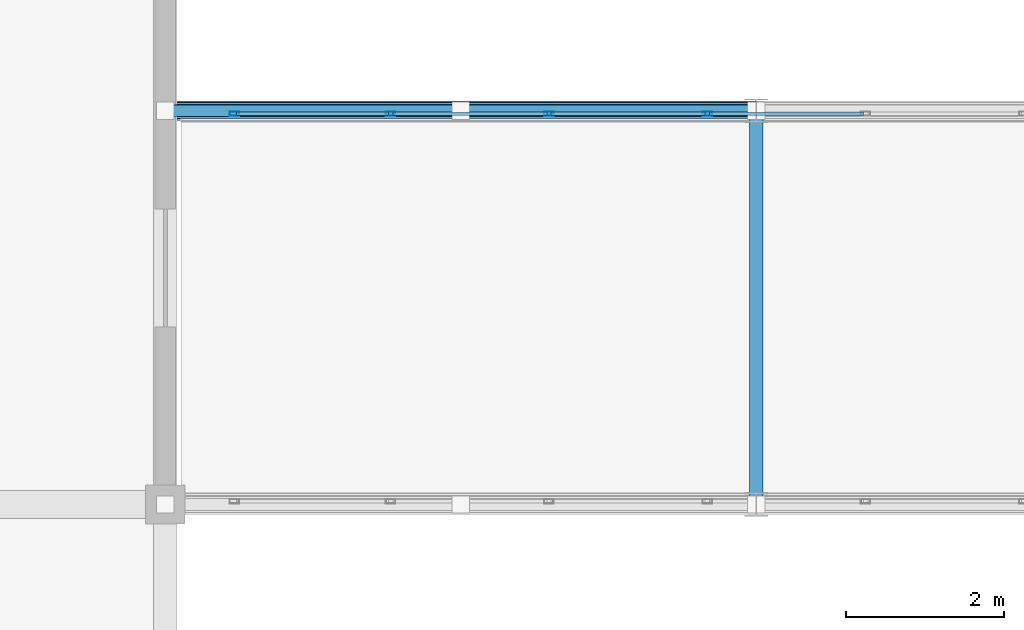
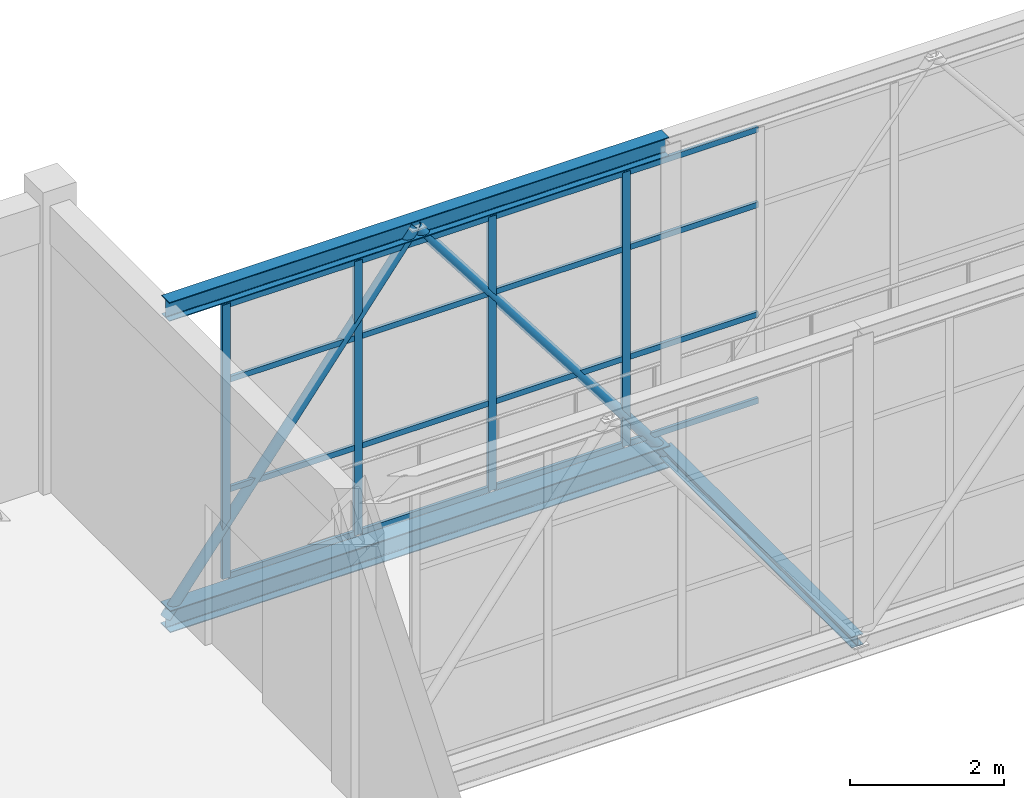
# One storey, part 28 of 248: 25 members, 1 element without a shape of its own.
"""IFC4 building model written with IfcOpenShell, lengths in metres."""

from ifc_helpers import new_model, si_unit, direction, frame, origin, origin_2d, place, context, subcontext, project, spatial, hollow_rectangle, hollow_circle, i_section, extrude, material, layer, layer_set, material_profile, profile_set, type_object, element, aggregate, save


model = new_model("IFC4")

# Units and contexts
model_context = context("Model", 3, precision=1e-05, world=origin(), true_north=direction((0.0, 1.0)))
body_context = subcontext(model_context, "Body", "Model", "MODEL_VIEW")
ifc_project = project(units=[si_unit("LENGTHUNIT", "METRE"), si_unit("AREAUNIT", "SQUARE_METRE"), si_unit("VOLUMEUNIT", "CUBIC_METRE"), si_unit("PLANEANGLEUNIT", "RADIAN"), si_unit("MASSUNIT", "GRAM", prefix="KILO")], contexts=[model_context])

# Site, building, storey
site_placement = place(None, origin())
site = spatial("IfcSite", under=ifc_project, at=site_placement, CompositionType="ELEMENT")
building_placement = place(site_placement, origin())
building = spatial("IfcBuilding", under=site, at=building_placement, Name="Canggui Botanical Conservatory", CompositionType="ELEMENT")
storey_placement = place(building_placement, frame((0.0, 0.0, 5.39990234375)))
storey = spatial("IfcBuildingStorey", under=building, at=storey_placement, Name="L02", CompositionType="ELEMENT", Elevation=5.39990234375)

# Curtain wall, members
ifc_material_1 = material(Name="Thermally Broken Aluminium", Category="aluminium")
ifc_layer = layer(ifc_material_1, 0.1201171875, Name="Thermally Broken Aluminium", Category="aluminium")
ifc_layer_set = layer_set([ifc_layer], Name="Thermally Broken Aluminium")
curtain_wall_type = type_object("IfcCurtainWallType", Name="CW-STICK-B", PredefinedType="USERDEFINED", material=ifc_layer_set)
curtain_wall_placement = place(storey_placement, origin())
curtain_wall = element("IfcCurtainWall", 1, at=curtain_wall_placement, inside=storey, type_object=curtain_wall_type, Name="Facade Curtain Wall CW-SB-01-2", ObjectType="STICK GLAZED WALL", PredefinedType="USERDEFINED")
ifc_material_profile_1 = material_profile(ifc_material_1, hollow_rectangle(XDim=0.054931640625, YDim=0.1201171875, WallThickness=0.0029296875, at=origin_2d()), Name="CWM 55x120x3")
ifc_profile_set_1 = profile_set([ifc_material_profile_1], Name="Thermally Broken Aluminium")
member_type_1 = type_object("IfcMemberType", Name="CWM-05", PredefinedType="MULLION", material=ifc_profile_set_1)
member_1_placement = place(storey_placement, frame((66.87744140625, 30.9599609375, 0.0), z_axis=(0.0, 0.0, 1.0), x_axis=(0.0, 1.0, 0.0)))
member_1 = element("IfcMember", 2, at=member_1_placement, type_object=member_type_1, Name="CW-05 mullion 1", PredefinedType="MULLION", context=body_context, shape_type="SweptSolid", body=[
    extrude(hollow_rectangle(XDim=0.054931640625, YDim=0.1201171875, WallThickness=0.0029296875, at=origin_2d()), origin(), (0.0, 0.0, 1.0), 4.35009765625),
])
member_2_placement = place(storey_placement, frame((68.859619140625, 30.9599609375, 0.0), z_axis=(0.0, 0.0, 1.0), x_axis=(0.0, 1.0, 0.0)))
member_2 = element("IfcMember", 3, at=member_2_placement, type_object=member_type_1, Name="CW-05 mullion 2", PredefinedType="MULLION", context=body_context, shape_type="SweptSolid", body=[
    extrude(hollow_rectangle(XDim=0.054931640625, YDim=0.1201171875, WallThickness=0.0029296875, at=origin_2d()), origin(), (0.0, 0.0, 1.0), 4.35009765625),
])
member_3_placement = place(storey_placement, frame((70.869384765625, 30.9599609375, 0.0), z_axis=(0.0, 0.0, 1.0), x_axis=(0.0, 1.0, 0.0)))
member_3 = element("IfcMember", 4, at=member_3_placement, type_object=member_type_1, Name="CW-05 mullion 3", PredefinedType="MULLION", context=body_context, shape_type="SweptSolid", body=[
    extrude(hollow_rectangle(XDim=0.054931640625, YDim=0.1201171875, WallThickness=0.0029296875, at=origin_2d()), origin(), (0.0, 0.0, 1.0), 4.35009765625),
])
member_4_placement = place(storey_placement, frame((72.879150390625, 30.9599609375, 0.0), z_axis=(0.0, 0.0, 1.0), x_axis=(0.0, 1.0, 0.0)))
member_4 = element("IfcMember", 5, at=member_4_placement, type_object=member_type_1, Name="CW-05 mullion 4", PredefinedType="MULLION", context=body_context, shape_type="SweptSolid", body=[
    extrude(hollow_rectangle(XDim=0.054931640625, YDim=0.1201171875, WallThickness=0.0029296875, at=origin_2d()), origin(), (0.0, 0.0, 1.0), 4.35009765625),
])
ifc_material_profile_2 = material_profile(ifc_material_1, hollow_rectangle(XDim=0.044921875, YDim=0.090087890625, WallThickness=0.0029296875, at=origin_2d()), Name="CWT 45x90x3")
ifc_profile_set_2 = profile_set([ifc_material_profile_2], Name="Thermally Broken Aluminium")
member_type_2 = type_object("IfcMemberType", Name="CWT-05", PredefinedType="USERDEFINED", material=ifc_profile_set_2)
member_5_placement = place(storey_placement, frame((66.905029296875, 30.9599609375, 0.022705078125), z_axis=(1.0, 0.0, 0.0), x_axis=(0.0, 1.0, 0.0)))
member_5 = element("IfcMember", 6, at=member_5_placement, type_object=member_type_2, Name="CW-05 transom 1.1", ObjectType="TRANSOM", PredefinedType="USERDEFINED", context=body_context, shape_type="SweptSolid", body=[
    extrude(hollow_rectangle(XDim=0.044921875, YDim=0.090087890625, WallThickness=0.0029296875, at=origin_2d()), origin(), (0.0, 0.0, 1.0), 1.92724609375),
])
member_6_placement = place(storey_placement, frame((66.905029296875, 30.9599609375, 1.39208984375), z_axis=(1.0, 0.0, 0.0), x_axis=(0.0, 1.0, 0.0)))
member_6 = element("IfcMember", 7, at=member_6_placement, type_object=member_type_2, Name="CW-05 transom 1.2", ObjectType="TRANSOM", PredefinedType="USERDEFINED", context=body_context, shape_type="SweptSolid", body=[
    extrude(hollow_rectangle(XDim=0.044921875, YDim=0.090087890625, WallThickness=0.0029296875, at=origin_2d()), origin(), (0.0, 0.0, 1.0), 1.92724609375),
])
member_7_placement = place(storey_placement, frame((66.905029296875, 30.9599609375, 3.132080078125), z_axis=(1.0, 0.0, 0.0), x_axis=(0.0, 1.0, 0.0)))
member_7 = element("IfcMember", 8, at=member_7_placement, type_object=member_type_2, Name="CW-05 transom 1.3", ObjectType="TRANSOM", PredefinedType="USERDEFINED", context=body_context, shape_type="SweptSolid", body=[
    extrude(hollow_rectangle(XDim=0.044921875, YDim=0.090087890625, WallThickness=0.0029296875, at=origin_2d()), origin(), (0.0, 0.0, 1.0), 1.92724609375),
])
member_8_placement = place(storey_placement, frame((66.905029296875, 30.9599609375, 4.32763671875), z_axis=(1.0, 0.0, 0.0), x_axis=(0.0, 1.0, 0.0)))
member_8 = element("IfcMember", 9, at=member_8_placement, type_object=member_type_2, Name="CW-05 transom 1.4", ObjectType="TRANSOM", PredefinedType="USERDEFINED", context=body_context, shape_type="SweptSolid", body=[
    extrude(hollow_rectangle(XDim=0.044921875, YDim=0.090087890625, WallThickness=0.0029296875, at=origin_2d()), origin(), (0.0, 0.0, 1.0), 1.92724609375),
])
member_9_placement = place(storey_placement, frame((68.88720703125, 30.9599609375, 0.022705078125), z_axis=(1.0, 0.0, 0.0), x_axis=(0.0, 1.0, 0.0)))
member_9 = element("IfcMember", 10, at=member_9_placement, type_object=member_type_2, Name="CW-05 transom 2.1", ObjectType="TRANSOM", PredefinedType="USERDEFINED", context=body_context, shape_type="SweptSolid", body=[
    extrude(hollow_rectangle(XDim=0.044921875, YDim=0.090087890625, WallThickness=0.0029296875, at=origin_2d()), origin(), (0.0, 0.0, 1.0), 1.95458984375),
])
member_10_placement = place(storey_placement, frame((68.88720703125, 30.9599609375, 1.39208984375), z_axis=(1.0, 0.0, 0.0), x_axis=(0.0, 1.0, 0.0)))
member_10 = element("IfcMember", 11, at=member_10_placement, type_object=member_type_2, Name="CW-05 transom 2.2", ObjectType="TRANSOM", PredefinedType="USERDEFINED", context=body_context, shape_type="SweptSolid", body=[
    extrude(hollow_rectangle(XDim=0.044921875, YDim=0.090087890625, WallThickness=0.0029296875, at=origin_2d()), origin(), (0.0, 0.0, 1.0), 1.95458984375),
])
member_11_placement = place(storey_placement, frame((68.88720703125, 30.9599609375, 3.132080078125), z_axis=(1.0, 0.0, 0.0), x_axis=(0.0, 1.0, 0.0)))
member_11 = element("IfcMember", 12, at=member_11_placement, type_object=member_type_2, Name="CW-05 transom 2.3", ObjectType="TRANSOM", PredefinedType="USERDEFINED", context=body_context, shape_type="SweptSolid", body=[
    extrude(hollow_rectangle(XDim=0.044921875, YDim=0.090087890625, WallThickness=0.0029296875, at=origin_2d()), origin(), (0.0, 0.0, 1.0), 1.95458984375),
])
member_12_placement = place(storey_placement, frame((68.88720703125, 30.9599609375, 4.32763671875), z_axis=(1.0, 0.0, 0.0), x_axis=(0.0, 1.0, 0.0)))
member_12 = element("IfcMember", 13, at=member_12_placement, type_object=member_type_2, Name="CW-05 transom 2.4", ObjectType="TRANSOM", PredefinedType="USERDEFINED", context=body_context, shape_type="SweptSolid", body=[
    extrude(hollow_rectangle(XDim=0.044921875, YDim=0.090087890625, WallThickness=0.0029296875, at=origin_2d()), origin(), (0.0, 0.0, 1.0), 1.95458984375),
])
member_13_placement = place(storey_placement, frame((70.89697265625, 30.9599609375, 0.022705078125), z_axis=(1.0, 0.0, 0.0), x_axis=(0.0, 1.0, 0.0)))
member_13 = element("IfcMember", 14, at=member_13_placement, type_object=member_type_2, Name="CW-05 transom 3.1", ObjectType="TRANSOM", PredefinedType="USERDEFINED", context=body_context, shape_type="SweptSolid", body=[
    extrude(hollow_rectangle(XDim=0.044921875, YDim=0.090087890625, WallThickness=0.0029296875, at=origin_2d()), origin(), (0.0, 0.0, 1.0), 1.95458984375),
])
member_14_placement = place(storey_placement, frame((70.89697265625, 30.9599609375, 1.39208984375), z_axis=(1.0, 0.0, 0.0), x_axis=(0.0, 1.0, 0.0)))
member_14 = element("IfcMember", 15, at=member_14_placement, type_object=member_type_2, Name="CW-05 transom 3.2", ObjectType="TRANSOM", PredefinedType="USERDEFINED", context=body_context, shape_type="SweptSolid", body=[
    extrude(hollow_rectangle(XDim=0.044921875, YDim=0.090087890625, WallThickness=0.0029296875, at=origin_2d()), origin(), (0.0, 0.0, 1.0), 1.95458984375),
])
member_15_placement = place(storey_placement, frame((70.89697265625, 30.9599609375, 3.132080078125), z_axis=(1.0, 0.0, 0.0), x_axis=(0.0, 1.0, 0.0)))
member_15 = element("IfcMember", 16, at=member_15_placement, type_object=member_type_2, Name="CW-05 transom 3.3", ObjectType="TRANSOM", PredefinedType="USERDEFINED", context=body_context, shape_type="SweptSolid", body=[
    extrude(hollow_rectangle(XDim=0.044921875, YDim=0.090087890625, WallThickness=0.0029296875, at=origin_2d()), origin(), (0.0, 0.0, 1.0), 1.95458984375),
])
member_16_placement = place(storey_placement, frame((70.89697265625, 30.9599609375, 4.32763671875), z_axis=(1.0, 0.0, 0.0), x_axis=(0.0, 1.0, 0.0)))
member_16 = element("IfcMember", 17, at=member_16_placement, type_object=member_type_2, Name="CW-05 transom 3.4", ObjectType="TRANSOM", PredefinedType="USERDEFINED", context=body_context, shape_type="SweptSolid", body=[
    extrude(hollow_rectangle(XDim=0.044921875, YDim=0.090087890625, WallThickness=0.0029296875, at=origin_2d()), origin(), (0.0, 0.0, 1.0), 1.95458984375),
])
member_17_placement = place(storey_placement, frame((72.906494140625, 30.9599609375, 0.022705078125), z_axis=(1.0, 0.0, 0.0), x_axis=(0.0, 1.0, 0.0)))
member_17 = element("IfcMember", 18, at=member_17_placement, type_object=member_type_2, Name="CW-05 transom 4.1", ObjectType="TRANSOM", PredefinedType="USERDEFINED", context=body_context, shape_type="SweptSolid", body=[
    extrude(hollow_rectangle(XDim=0.044921875, YDim=0.090087890625, WallThickness=0.0029296875, at=origin_2d()), origin(), (0.0, 0.0, 1.0), 1.954833984375),
])
member_18_placement = place(storey_placement, frame((72.906494140625, 30.9599609375, 1.39208984375), z_axis=(1.0, 0.0, 0.0), x_axis=(0.0, 1.0, 0.0)))
member_18 = element("IfcMember", 19, at=member_18_placement, type_object=member_type_2, Name="CW-05 transom 4.2", ObjectType="TRANSOM", PredefinedType="USERDEFINED", context=body_context, shape_type="SweptSolid", body=[
    extrude(hollow_rectangle(XDim=0.044921875, YDim=0.090087890625, WallThickness=0.0029296875, at=origin_2d()), origin(), (0.0, 0.0, 1.0), 1.954833984375),
])
member_19_placement = place(storey_placement, frame((72.906494140625, 30.9599609375, 3.132080078125), z_axis=(1.0, 0.0, 0.0), x_axis=(0.0, 1.0, 0.0)))
member_19 = element("IfcMember", 20, at=member_19_placement, type_object=member_type_2, Name="CW-05 transom 4.3", ObjectType="TRANSOM", PredefinedType="USERDEFINED", context=body_context, shape_type="SweptSolid", body=[
    extrude(hollow_rectangle(XDim=0.044921875, YDim=0.090087890625, WallThickness=0.0029296875, at=origin_2d()), origin(), (0.0, 0.0, 1.0), 1.954833984375),
])
member_20_placement = place(storey_placement, frame((72.906494140625, 30.9599609375, 4.32763671875), z_axis=(1.0, 0.0, 0.0), x_axis=(0.0, 1.0, 0.0)))
member_20 = element("IfcMember", 21, at=member_20_placement, type_object=member_type_2, Name="CW-05 transom 4.4", ObjectType="TRANSOM", PredefinedType="USERDEFINED", context=body_context, shape_type="SweptSolid", body=[
    extrude(hollow_rectangle(XDim=0.044921875, YDim=0.090087890625, WallThickness=0.0029296875, at=origin_2d()), origin(), (0.0, 0.0, 1.0), 1.954833984375),
])
aggregate(curtain_wall, [member_1, member_2, member_3, member_4, member_5, member_6, member_7, member_8, member_9, member_10, member_11, member_12, member_13, member_14, member_15, member_16, member_17, member_18, member_19, member_20])

# Members
ifc_material_2 = material(Name="Steel Q355C", Category="steel")
ifc_material_profile_3 = material_profile(ifc_material_2, hollow_circle(Radius=0.075927734375, WallThickness=0.006103515625, at=origin_2d()), Name="CHS 152x6")
ifc_profile_set_3 = profile_set([ifc_material_profile_3], Name="Steel Q355C")
member_type_3 = type_object("IfcMemberType", Name="MEM-GSD04", PredefinedType="RAFTER", material=ifc_profile_set_3)
for number, where, z_axis, x_axis, name in (
    (22, (66.0, 31.0, -0.349853515625), (0.607758481798, 0.0, 0.794121922505), (0.0, 1.0, 0.0), "SB-01 Truss Web Rafter 2.1A"),
    (23, (69.75, 31.0, 4.550048828125), (0.607758481798, 0.0, -0.794121922505), (0.0, 1.0, 0.0), "SB-01 Truss Web Rafter 2.1B"),
):
    element("IfcMember", number, at=place(storey_placement, frame(where, z_axis=z_axis, x_axis=x_axis)), inside=storey, type_object=member_type_3, Name=name, PredefinedType="RAFTER", context=body_context, shape_type="SweptSolid", body=[
        extrude(hollow_circle(Radius=0.075927734375, WallThickness=0.006103515625, at=origin_2d()), origin(), (0.0, 0.0, 1.0), 6.170166015625),
    ])
ifc_material_3 = material(Name="Steel Q355B", Category="steel")
ifc_material_profile_4 = material_profile(ifc_material_3, i_section(OverallWidth=0.175048828125, OverallDepth=0.175048828125, WebThickness=0.007568359375, FlangeThickness=0.010986328125, FilletRadius=0.011962890625, at=origin_2d()), Name="HW 175x175x7.5x11")
ifc_profile_set_4 = profile_set([ifc_material_profile_4], Name="Steel Q355B")
member_type_4 = type_object("IfcMemberType", Name="MEM-STR02", PredefinedType="STRINGER", material=ifc_profile_set_4)
member_21_placement = place(storey_placement, frame((73.5, 26.0, -0.31982421875), z_axis=(0.0, 1.0, 0.0), x_axis=(-1.0, 0.0, 0.0)))
element("IfcMember", 24, at=member_21_placement, inside=storey, type_object=member_type_4, Name="SB-01 Deck Transverse Stringer 1", PredefinedType="STRINGER", context=body_context, shape_type="SweptSolid", body=[
    extrude(i_section(OverallWidth=0.175048828125, OverallDepth=0.175048828125, WebThickness=0.007568359375, FlangeThickness=0.010986328125, FilletRadius=0.011962890625, at=origin_2d()), origin(), (0.0, 0.0, 1.0), 5.0),
])
ifc_material_profile_5 = material_profile(ifc_material_3, i_section(OverallWidth=0.25, OverallDepth=0.35009765625, WebThickness=0.009033203125, FlangeThickness=0.013916015625, FilletRadius=0.02001953125, at=origin_2d()), Name="HM 350x250x9x14")
ifc_profile_set_5 = profile_set([ifc_material_profile_5], Name="Steel Q355B")
member_type_5 = type_object("IfcMemberType", Name="MEM-TC03", PredefinedType="CHORD", material=ifc_profile_set_5)
member_22_placement = place(storey_placement, frame((66.0, 31.0, -0.349853515625), z_axis=(1.0, 0.0, 0.0), x_axis=(0.0, 1.0, 0.0)))
element("IfcMember", 25, at=member_22_placement, inside=storey, type_object=member_type_5, Name="SB-01 Deck Truss Bottom Chord 2.1", PredefinedType="CHORD", context=body_context, shape_type="SweptSolid", body=[
    extrude(i_section(OverallWidth=0.25, OverallDepth=0.35009765625, WebThickness=0.009033203125, FlangeThickness=0.013916015625, FilletRadius=0.02001953125, at=origin_2d()), origin(), (0.0, 0.0, 1.0), 7.5),
])
ifc_material_profile_6 = material_profile(ifc_material_3, i_section(OverallWidth=0.199951171875, OverallDepth=0.300048828125, WebThickness=0.008056640625, FlangeThickness=0.011962890625, FilletRadius=0.01806640625, at=origin_2d()), Name="HM 300x200x8x12")
ifc_profile_set_6 = profile_set([ifc_material_profile_6], Name="Steel Q355B")
member_type_6 = type_object("IfcMemberType", Name="MEM-TC04", PredefinedType="CHORD", material=ifc_profile_set_6)
member_23_placement = place(storey_placement, frame((66.0, 31.0, 4.550048828125), z_axis=(1.0, 0.0, 0.0), x_axis=(0.0, 1.0, 0.0)))
element("IfcMember", 26, at=member_23_placement, inside=storey, type_object=member_type_6, Name="SB-01 Roof Truss Top Chord 2.1", PredefinedType="CHORD", context=body_context, shape_type="SweptSolid", body=[
    extrude(i_section(OverallWidth=0.199951171875, OverallDepth=0.300048828125, WebThickness=0.008056640625, FlangeThickness=0.011962890625, FilletRadius=0.01806640625, at=origin_2d()), origin(), (0.0, 0.0, 1.0), 7.5),
])

save(model, "model.ifc")
